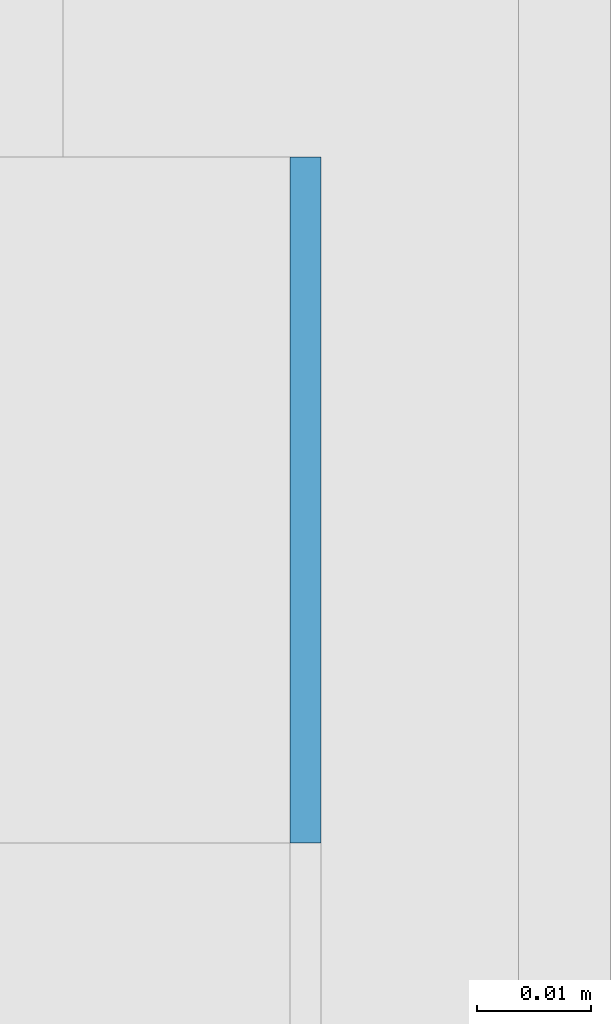
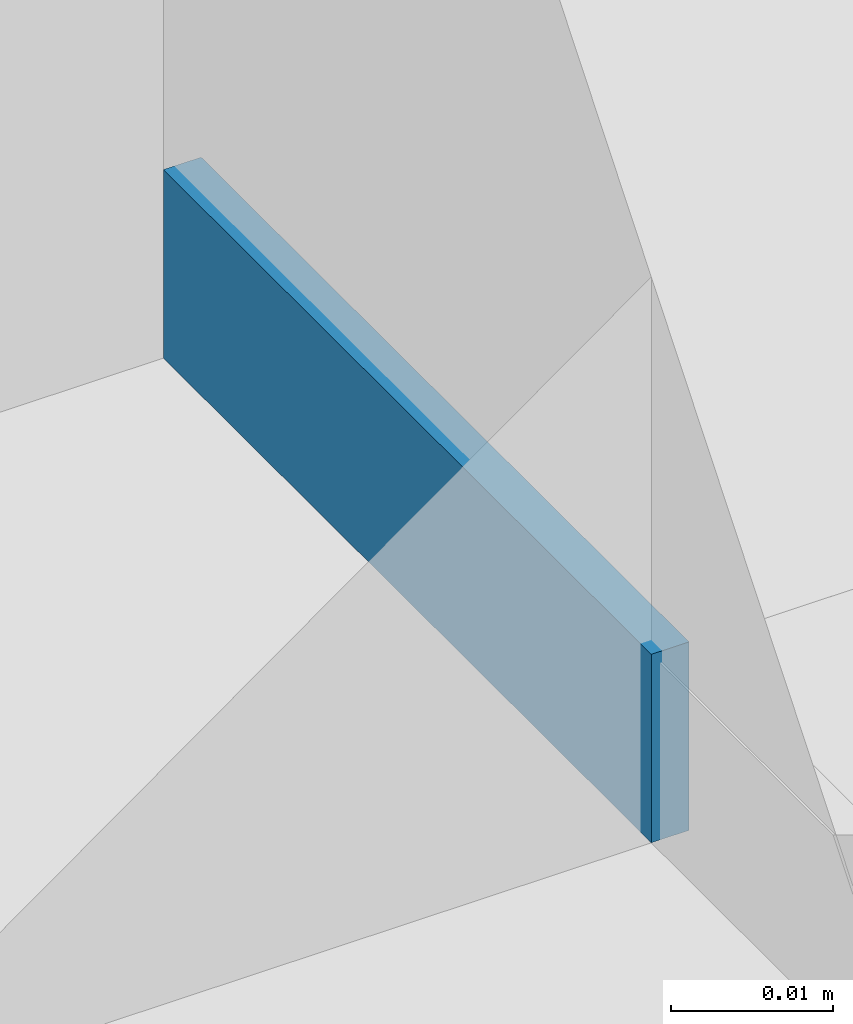
# One storey, part 302 of 646: 1 discrete accessory.
"""IFC4 building model written with IfcOpenShell, lengths in metres."""

from ifc_helpers import new_model, si_unit, direction, frame, origin, origin_2d, place, context, subcontext, project, spatial, rectangle, extrude, material, type_object, element, save


model = new_model("IFC4")

# Units and contexts
model_context = context("Model", 3, precision=1e-05, world=origin(), true_north=direction((0.0, 1.0)))
body_context = subcontext(model_context, "Body", "Model", "MODEL_VIEW")
ifc_project = project(units=[si_unit("LENGTHUNIT", "METRE"), si_unit("AREAUNIT", "SQUARE_METRE"), si_unit("VOLUMEUNIT", "CUBIC_METRE"), si_unit("PLANEANGLEUNIT", "RADIAN"), si_unit("MASSUNIT", "GRAM", prefix="KILO")], contexts=[model_context])

# Site, building, storey
site_placement = place(None, origin())
site = spatial("IfcSite", under=ifc_project, at=site_placement, CompositionType="ELEMENT")
building_placement = place(site_placement, origin())
building = spatial("IfcBuilding", under=site, at=building_placement, Name="Silverbay Arena", CompositionType="ELEMENT")
storey_placement = place(building_placement, frame((0.0, 0.0, 33.5)))
storey = spatial("IfcBuildingStorey", under=building, at=storey_placement, Name="L05", CompositionType="ELEMENT", Elevation=33.5)

# Discrete accessory
ifc_material = material(Name="Steel S355", Category="steel")
discrete_accessory_type = type_object("IfcDiscreteAccessoryType", Name="Steel bracket plate", PredefinedType="BRACKET", material=ifc_material)
discrete_accessory_placement = place(storey_placement, frame((53.871337890625, 63.030029296875, 4.0), z_axis=(0.0, 0.0, 1.0), x_axis=(1.0, 0.0, 0.0)))
element("IfcDiscreteAccessory", 1, at=discrete_accessory_placement, inside=storey, type_object=discrete_accessory_type, Name="Curtain wall packing plate", PredefinedType="BRACKET", context=body_context, shape_type="SweptSolid", body=[
    extrude(rectangle(XDim=0.002685546875, YDim=0.06005859375, at=origin_2d()), origin(), (0.0, 0.0, 1.0), 0.01416015625),
])

save(model, "model.ifc")
